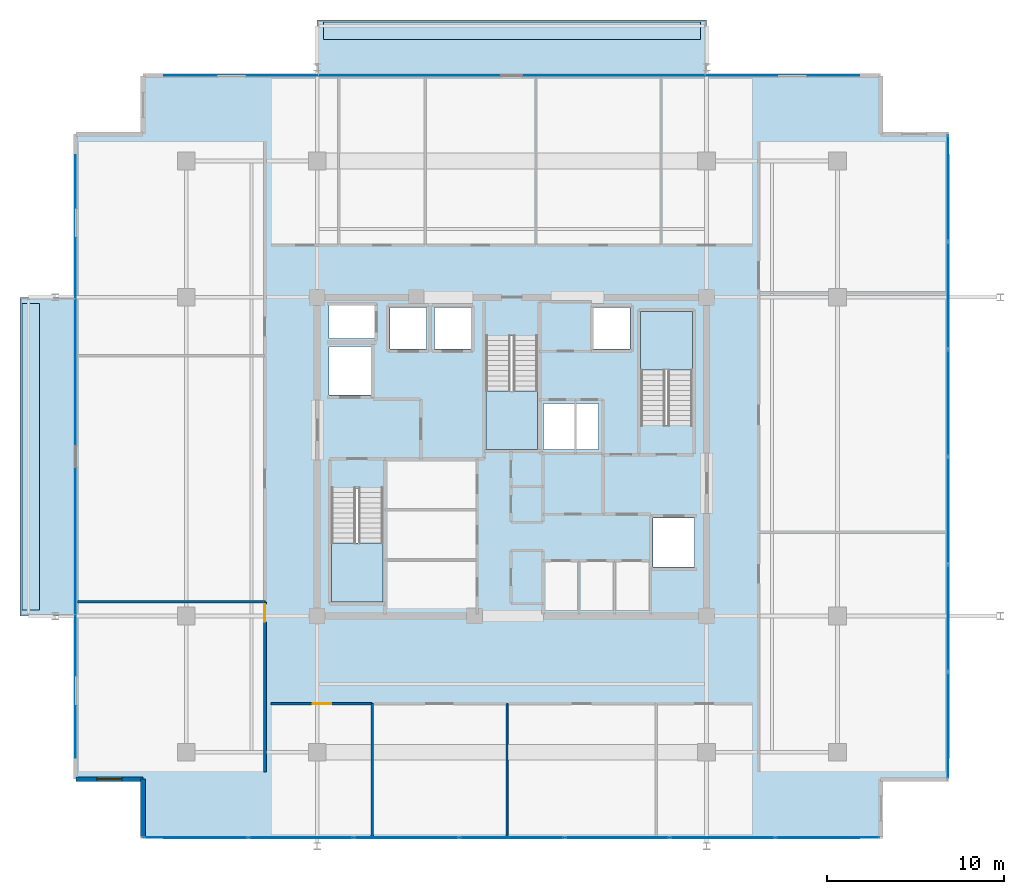
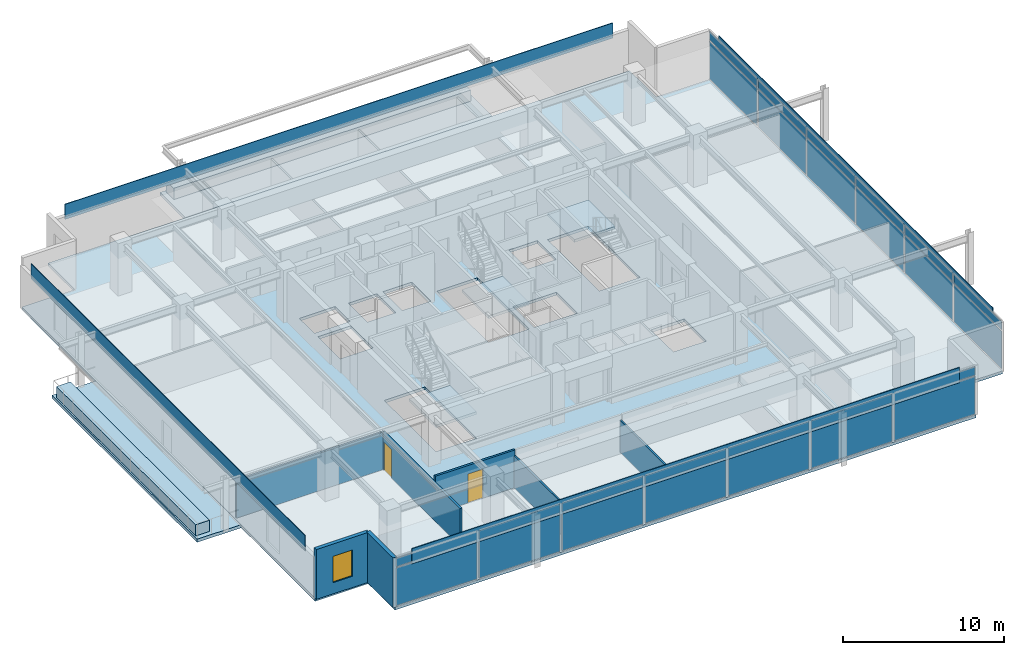
# One storey, part 12 of 20: 30 plates, 8 slabs, 7 walls, 2 doors, 1 window, 3 openings, 5 elements without a shape of their own.
"""IFC4 building model written with IfcOpenShell, lengths in metres."""

from ifc_helpers import new_model, si_unit, direction, frame, frame_2d, origin, origin_2d, place, context, subcontext, project, spatial, polyline, rectangle, outline, extrude, material, layer, layer_set, type_object, element, fill, aggregate, save


model = new_model("IFC4")

# Units and contexts
model_context = context("Model", 3, precision=1e-05, world=origin(), true_north=direction((0.0, 1.0)))
body_context = subcontext(model_context, "Body", "Model", "MODEL_VIEW")
ifc_project = project(units=[si_unit("LENGTHUNIT", "METRE"), si_unit("AREAUNIT", "SQUARE_METRE"), si_unit("VOLUMEUNIT", "CUBIC_METRE"), si_unit("PLANEANGLEUNIT", "RADIAN"), si_unit("MASSUNIT", "GRAM", prefix="KILO")], contexts=[model_context])

# Site, building, storey
site_placement = place(None, origin())
site = spatial("IfcSite", under=ifc_project, at=site_placement, CompositionType="ELEMENT")
building_placement = place(site_placement, origin())
building = spatial("IfcBuilding", under=site, at=building_placement, Name="Kovane Verandah Tower", CompositionType="ELEMENT")
storey_placement = place(building_placement, frame((0.0, 0.0, 330.800048828125)))
storey = spatial("IfcBuildingStorey", under=building, at=storey_placement, Name="L77", CompositionType="ELEMENT", Elevation=330.800048828125)

# Curtain wall, plates
ifc_material_1 = material(Name="Champagne Anodised Aluminium Frame with Low-E Clear Laminated Glass", Category="aluminium")
curtain_wall_type = type_object("IfcCurtainWallType", Name="CW-SYS-05-HIGH", PredefinedType="NOTDEFINED", material=ifc_material_1)
curtain_wall_1_placement = place(storey_placement, origin())
curtain_wall_1 = element("IfcCurtainWall", 1, at=curtain_wall_1_placement, inside=storey, type_object=curtain_wall_type, Name="L77 S Unitised Curtain Wall", PredefinedType="NOTDEFINED")
ifc_material_2 = material(Name="Pale Champagne Anodised Aluminium Insulated Spandrel", Category="aluminium")
ifc_layer_1 = layer(ifc_material_2, 0.0400390625)
ifc_layer_set_1 = layer_set([ifc_layer_1], Name="Pale Champagne Anodised Aluminium Insulated Spandrel")
plate_type_1 = type_object("IfcPlateType", Name="PL-CW-SPD-40", PredefinedType="SHEET", material=ifc_layer_set_1)
plate_1_placement = place(storey_placement, frame((22.14013671875, 5.981689453125, 3.05517578125), z_axis=(0.0, 0.0, 1.0), x_axis=(1.0, 0.0, 0.0)))
plate_1 = element("IfcPlate", 2, at=plate_1_placement, type_object=plate_type_1, Name="L77 S Unitised Curtain Wall Spandrel Panel 1", PredefinedType="SHEET", context=body_context, shape_type="SweptSolid", body=[
    extrude(rectangle(XDim=5.813232421875, YDim=0.0400390625, at=origin_2d()), origin(), (0.0, 0.0, 1.0), 0.639892578125),
])
plate_2_placement = place(storey_placement, frame((28.093505859375, 5.981689453125, 3.05517578125), z_axis=(0.0, 0.0, 1.0), x_axis=(1.0, 0.0, 0.0)))
plate_2 = element("IfcPlate", 3, at=plate_2_placement, type_object=plate_type_1, Name="L77 S Unitised Curtain Wall Spandrel Panel 2", PredefinedType="SHEET", context=body_context, shape_type="SweptSolid", body=[
    extrude(rectangle(XDim=5.813232421875, YDim=0.0400390625, at=origin_2d()), origin(), (0.0, 0.0, 1.0), 0.639892578125),
])
plate_3_placement = place(storey_placement, frame((34.046630859375, 5.981689453125, 3.05517578125), z_axis=(0.0, 0.0, 1.0), x_axis=(1.0, 0.0, 0.0)))
plate_3 = element("IfcPlate", 4, at=plate_3_placement, type_object=plate_type_1, Name="L77 S Unitised Curtain Wall Spandrel Panel 3", PredefinedType="SHEET", context=body_context, shape_type="SweptSolid", body=[
    extrude(rectangle(XDim=5.813232421875, YDim=0.0400390625, at=origin_2d()), origin(), (0.0, 0.0, 1.0), 0.639892578125),
])
plate_4_placement = place(storey_placement, frame((40.0, 5.981689453125, 3.05517578125), z_axis=(0.0, 0.0, 1.0), x_axis=(1.0, 0.0, 0.0)))
plate_4 = element("IfcPlate", 5, at=plate_4_placement, type_object=plate_type_1, Name="L77 S Unitised Curtain Wall Spandrel Panel 4", PredefinedType="SHEET", context=body_context, shape_type="SweptSolid", body=[
    extrude(rectangle(XDim=5.813232421875, YDim=0.0400390625, at=origin_2d()), origin(), (0.0, 0.0, 1.0), 0.639892578125),
])
plate_5_placement = place(storey_placement, frame((45.953369140625, 5.981689453125, 3.05517578125), z_axis=(0.0, 0.0, 1.0), x_axis=(1.0, 0.0, 0.0)))
plate_5 = element("IfcPlate", 6, at=plate_5_placement, type_object=plate_type_1, Name="L77 S Unitised Curtain Wall Spandrel Panel 5", PredefinedType="SHEET", context=body_context, shape_type="SweptSolid", body=[
    extrude(rectangle(XDim=5.813232421875, YDim=0.0400390625, at=origin_2d()), origin(), (0.0, 0.0, 1.0), 0.639892578125),
])
plate_6_placement = place(storey_placement, frame((51.906494140625, 5.981689453125, 3.05517578125), z_axis=(0.0, 0.0, 1.0), x_axis=(1.0, 0.0, 0.0)))
plate_6 = element("IfcPlate", 7, at=plate_6_placement, type_object=plate_type_1, Name="L77 S Unitised Curtain Wall Spandrel Panel 6", PredefinedType="SHEET", context=body_context, shape_type="SweptSolid", body=[
    extrude(rectangle(XDim=5.813232421875, YDim=0.0400390625, at=origin_2d()), origin(), (0.0, 0.0, 1.0), 0.639892578125),
])
plate_7_placement = place(storey_placement, frame((57.85986328125, 5.981689453125, 3.05517578125), z_axis=(0.0, 0.0, 1.0), x_axis=(1.0, 0.0, 0.0)))
plate_7 = element("IfcPlate", 8, at=plate_7_placement, type_object=plate_type_1, Name="L77 S Unitised Curtain Wall Spandrel Panel 7", PredefinedType="SHEET", context=body_context, shape_type="SweptSolid", body=[
    extrude(rectangle(XDim=5.813232421875, YDim=0.0400390625, at=origin_2d()), origin(), (0.0, 0.0, 1.0), 0.639892578125),
])

curtain_wall_2_placement = place(storey_placement, origin())
curtain_wall_2 = element("IfcCurtainWall", 9, at=curtain_wall_2_placement, inside=storey, type_object=curtain_wall_type, Name="L77 E Unitised Curtain Wall", PredefinedType="NOTDEFINED")
plate_8_placement = place(storey_placement, frame((64.636474609375, 12.318115234375, 3.05517578125), z_axis=(0.0, 0.0, 1.0), x_axis=(0.0, 1.0, 0.0)))
plate_8 = element("IfcPlate", 10, at=plate_8_placement, type_object=plate_type_1, Name="L77 E Unitised Curtain Wall Spandrel Panel 1", PredefinedType="SHEET", context=body_context, shape_type="SweptSolid", body=[
    extrude(rectangle(XDim=5.9326171875, YDim=0.0400390625, at=origin_2d()), origin(), (0.0, 0.0, 1.0), 0.639892578125),
])
plate_9_placement = place(storey_placement, frame((64.636474609375, 18.390869140625, 3.05517578125), z_axis=(0.0, 0.0, 1.0), x_axis=(0.0, 1.0, 0.0)))
plate_9 = element("IfcPlate", 11, at=plate_9_placement, type_object=plate_type_1, Name="L77 E Unitised Curtain Wall Spandrel Panel 2", PredefinedType="SHEET", context=body_context, shape_type="SweptSolid", body=[
    extrude(rectangle(XDim=5.9326171875, YDim=0.0400390625, at=origin_2d()), origin(), (0.0, 0.0, 1.0), 0.639892578125),
])
plate_10_placement = place(storey_placement, frame((64.636474609375, 24.463623046875, 3.05517578125), z_axis=(0.0, 0.0, 1.0), x_axis=(0.0, 1.0, 0.0)))
plate_10 = element("IfcPlate", 12, at=plate_10_placement, type_object=plate_type_1, Name="L77 E Unitised Curtain Wall Spandrel Panel 3", PredefinedType="SHEET", context=body_context, shape_type="SweptSolid", body=[
    extrude(rectangle(XDim=5.9326171875, YDim=0.0400390625, at=origin_2d()), origin(), (0.0, 0.0, 1.0), 0.639892578125),
])
plate_11_placement = place(storey_placement, frame((64.636474609375, 30.536376953125, 3.05517578125), z_axis=(0.0, 0.0, 1.0), x_axis=(0.0, 1.0, 0.0)))
plate_11 = element("IfcPlate", 13, at=plate_11_placement, type_object=plate_type_1, Name="L77 E Unitised Curtain Wall Spandrel Panel 4", PredefinedType="SHEET", context=body_context, shape_type="SweptSolid", body=[
    extrude(rectangle(XDim=5.9326171875, YDim=0.0400390625, at=origin_2d()), origin(), (0.0, 0.0, 1.0), 0.639892578125),
])
plate_12_placement = place(storey_placement, frame((64.636474609375, 36.609130859375, 3.05517578125), z_axis=(0.0, 0.0, 1.0), x_axis=(0.0, 1.0, 0.0)))
plate_12 = element("IfcPlate", 14, at=plate_12_placement, type_object=plate_type_1, Name="L77 E Unitised Curtain Wall Spandrel Panel 5", PredefinedType="SHEET", context=body_context, shape_type="SweptSolid", body=[
    extrude(rectangle(XDim=5.9326171875, YDim=0.0400390625, at=origin_2d()), origin(), (0.0, 0.0, 1.0), 0.639892578125),
])
plate_13_placement = place(storey_placement, frame((64.636474609375, 42.681884765625, 3.05517578125), z_axis=(0.0, 0.0, 1.0), x_axis=(0.0, 1.0, 0.0)))
plate_13 = element("IfcPlate", 15, at=plate_13_placement, type_object=plate_type_1, Name="L77 E Unitised Curtain Wall Spandrel Panel 6", PredefinedType="SHEET", context=body_context, shape_type="SweptSolid", body=[
    extrude(rectangle(XDim=5.9326171875, YDim=0.0400390625, at=origin_2d()), origin(), (0.0, 0.0, 1.0), 0.639892578125),
])

# Plate
ifc_material_3 = material(Name="Clear Low-E Laminated Double Glazing", Category="glass")
ifc_layer_2 = layer(ifc_material_3, 0.031982421875)
ifc_layer_set_2 = layer_set([ifc_layer_2], Name="Clear Low-E Laminated Double Glazing")
plate_type_2 = type_object("IfcPlateType", Name="PL-CW-VIS-32", PredefinedType="CURTAIN_PANEL", material=ifc_layer_set_2)
plate_14_placement = place(storey_placement, frame((22.14013671875, 5.981689453125, 0.099853515625), z_axis=(0.0, 0.0, 1.0), x_axis=(1.0, 0.0, 0.0)))
plate_14 = element("IfcPlate", 16, at=plate_14_placement, type_object=plate_type_2, Name="L77 S Unitised Curtain Wall Vision Panel 1", PredefinedType="CURTAIN_PANEL", context=body_context, shape_type="SweptSolid", body=[
    extrude(rectangle(XDim=5.813232421875, YDim=0.031982421875, at=origin_2d()), origin(), (0.0, 0.0, 1.0), 2.85498046875),
])

plate_15_placement = place(storey_placement, frame((28.093505859375, 5.981689453125, 0.099853515625), z_axis=(0.0, 0.0, 1.0), x_axis=(1.0, 0.0, 0.0)))
plate_15 = element("IfcPlate", 17, at=plate_15_placement, type_object=plate_type_2, Name="L77 S Unitised Curtain Wall Vision Panel 2", PredefinedType="CURTAIN_PANEL", context=body_context, shape_type="SweptSolid", body=[
    extrude(rectangle(XDim=5.813232421875, YDim=0.031982421875, at=origin_2d()), origin(), (0.0, 0.0, 1.0), 2.85498046875),
])

plate_16_placement = place(storey_placement, frame((34.046630859375, 5.981689453125, 0.099853515625), z_axis=(0.0, 0.0, 1.0), x_axis=(1.0, 0.0, 0.0)))
plate_16 = element("IfcPlate", 18, at=plate_16_placement, type_object=plate_type_2, Name="L77 S Unitised Curtain Wall Vision Panel 3", PredefinedType="CURTAIN_PANEL", context=body_context, shape_type="SweptSolid", body=[
    extrude(rectangle(XDim=5.813232421875, YDim=0.031982421875, at=origin_2d()), origin(), (0.0, 0.0, 1.0), 2.85498046875),
])

plate_17_placement = place(storey_placement, frame((40.0, 5.981689453125, 0.099853515625), z_axis=(0.0, 0.0, 1.0), x_axis=(1.0, 0.0, 0.0)))
plate_17 = element("IfcPlate", 19, at=plate_17_placement, type_object=plate_type_2, Name="L77 S Unitised Curtain Wall Vision Panel 4", PredefinedType="CURTAIN_PANEL", context=body_context, shape_type="SweptSolid", body=[
    extrude(rectangle(XDim=5.813232421875, YDim=0.031982421875, at=origin_2d()), origin(), (0.0, 0.0, 1.0), 2.85498046875),
])

plate_18_placement = place(storey_placement, frame((45.953369140625, 5.981689453125, 0.099853515625), z_axis=(0.0, 0.0, 1.0), x_axis=(1.0, 0.0, 0.0)))
plate_18 = element("IfcPlate", 20, at=plate_18_placement, type_object=plate_type_2, Name="L77 S Unitised Curtain Wall Vision Panel 5", PredefinedType="CURTAIN_PANEL", context=body_context, shape_type="SweptSolid", body=[
    extrude(rectangle(XDim=5.813232421875, YDim=0.031982421875, at=origin_2d()), origin(), (0.0, 0.0, 1.0), 2.85498046875),
])

plate_19_placement = place(storey_placement, frame((51.906494140625, 5.981689453125, 0.099853515625), z_axis=(0.0, 0.0, 1.0), x_axis=(1.0, 0.0, 0.0)))
plate_19 = element("IfcPlate", 21, at=plate_19_placement, type_object=plate_type_2, Name="L77 S Unitised Curtain Wall Vision Panel 6", PredefinedType="CURTAIN_PANEL", context=body_context, shape_type="SweptSolid", body=[
    extrude(rectangle(XDim=5.813232421875, YDim=0.031982421875, at=origin_2d()), origin(), (0.0, 0.0, 1.0), 2.85498046875),
])

plate_20_placement = place(storey_placement, frame((57.85986328125, 5.981689453125, 0.099853515625), z_axis=(0.0, 0.0, 1.0), x_axis=(1.0, 0.0, 0.0)))
plate_20 = element("IfcPlate", 22, at=plate_20_placement, type_object=plate_type_2, Name="L77 S Unitised Curtain Wall Vision Panel 7", PredefinedType="CURTAIN_PANEL", context=body_context, shape_type="SweptSolid", body=[
    extrude(rectangle(XDim=5.813232421875, YDim=0.031982421875, at=origin_2d()), origin(), (0.0, 0.0, 1.0), 2.85498046875),
])

aggregate(curtain_wall_1, [plate_14, plate_1, plate_15, plate_2, plate_16, plate_3, plate_17, plate_4, plate_18, plate_5, plate_19, plate_6, plate_20, plate_7])

plate_21_placement = place(storey_placement, frame((64.636474609375, 12.318115234375, 0.099853515625), z_axis=(0.0, 0.0, 1.0), x_axis=(0.0, 1.0, 0.0)))
plate_21 = element("IfcPlate", 23, at=plate_21_placement, type_object=plate_type_2, Name="L77 E Unitised Curtain Wall Vision Panel 1", PredefinedType="CURTAIN_PANEL", context=body_context, shape_type="SweptSolid", body=[
    extrude(rectangle(XDim=5.9326171875, YDim=0.031982421875, at=origin_2d()), origin(), (0.0, 0.0, 1.0), 2.85498046875),
])

plate_22_placement = place(storey_placement, frame((64.636474609375, 18.390869140625, 0.099853515625), z_axis=(0.0, 0.0, 1.0), x_axis=(0.0, 1.0, 0.0)))
plate_22 = element("IfcPlate", 24, at=plate_22_placement, type_object=plate_type_2, Name="L77 E Unitised Curtain Wall Vision Panel 2", PredefinedType="CURTAIN_PANEL", context=body_context, shape_type="SweptSolid", body=[
    extrude(rectangle(XDim=5.9326171875, YDim=0.031982421875, at=origin_2d()), origin(), (0.0, 0.0, 1.0), 2.85498046875),
])

plate_23_placement = place(storey_placement, frame((64.636474609375, 24.463623046875, 0.099853515625), z_axis=(0.0, 0.0, 1.0), x_axis=(0.0, 1.0, 0.0)))
plate_23 = element("IfcPlate", 25, at=plate_23_placement, type_object=plate_type_2, Name="L77 E Unitised Curtain Wall Vision Panel 3", PredefinedType="CURTAIN_PANEL", context=body_context, shape_type="SweptSolid", body=[
    extrude(rectangle(XDim=5.9326171875, YDim=0.031982421875, at=origin_2d()), origin(), (0.0, 0.0, 1.0), 2.85498046875),
])

plate_24_placement = place(storey_placement, frame((64.636474609375, 30.536376953125, 0.099853515625), z_axis=(0.0, 0.0, 1.0), x_axis=(0.0, 1.0, 0.0)))
plate_24 = element("IfcPlate", 26, at=plate_24_placement, type_object=plate_type_2, Name="L77 E Unitised Curtain Wall Vision Panel 4", PredefinedType="CURTAIN_PANEL", context=body_context, shape_type="SweptSolid", body=[
    extrude(rectangle(XDim=5.9326171875, YDim=0.031982421875, at=origin_2d()), origin(), (0.0, 0.0, 1.0), 2.85498046875),
])

plate_25_placement = place(storey_placement, frame((64.636474609375, 36.609130859375, 0.099853515625), z_axis=(0.0, 0.0, 1.0), x_axis=(0.0, 1.0, 0.0)))
plate_25 = element("IfcPlate", 27, at=plate_25_placement, type_object=plate_type_2, Name="L77 E Unitised Curtain Wall Vision Panel 5", PredefinedType="CURTAIN_PANEL", context=body_context, shape_type="SweptSolid", body=[
    extrude(rectangle(XDim=5.9326171875, YDim=0.031982421875, at=origin_2d()), origin(), (0.0, 0.0, 1.0), 2.85498046875),
])

plate_26_placement = place(storey_placement, frame((64.636474609375, 42.681884765625, 0.099853515625), z_axis=(0.0, 0.0, 1.0), x_axis=(0.0, 1.0, 0.0)))
plate_26 = element("IfcPlate", 28, at=plate_26_placement, type_object=plate_type_2, Name="L77 E Unitised Curtain Wall Vision Panel 6", PredefinedType="CURTAIN_PANEL", context=body_context, shape_type="SweptSolid", body=[
    extrude(rectangle(XDim=5.9326171875, YDim=0.031982421875, at=origin_2d()), origin(), (0.0, 0.0, 1.0), 2.85498046875),
])

aggregate(curtain_wall_2, [plate_21, plate_8, plate_22, plate_9, plate_23, plate_10, plate_24, plate_11, plate_25, plate_12, plate_26, plate_13])

# Plates
ifc_material_4 = material(Name="Perforated Pale Champagne Anodised Aluminium Solar Screen", Category="aluminium")
ifc_layer_3 = layer(ifc_material_4, 0.050048828125)
ifc_layer_set_3 = layer_set([ifc_layer_3], Name="Perforated Pale Champagne Anodised Aluminium Solar Screen")
plate_type_3 = type_object("IfcPlateType", Name="PL-SCREEN-50", PredefinedType="USERDEFINED", material=ifc_layer_set_3)
plate_27_placement = place(storey_placement, frame((40.0, 5.966796875, 2.885009765625), z_axis=(0.0, 0.0, 1.0), x_axis=(1.0, 0.0, 0.0)))
element("IfcPlate", 29, at=plate_27_placement, inside=storey, type_object=plate_type_3, Name="L77 S Perforated Champagne-Gold Solar Screen", ObjectType="SCREEN", PredefinedType="USERDEFINED", context=body_context, shape_type="SweptSolid", body=[
    extrude(rectangle(XDim=39.27294921875, YDim=0.050048828125, at=origin_2d()), origin(), (0.0, 0.0, 1.0), 1.14990234375),
])
plate_28_placement = place(storey_placement, frame((64.6513671875, 27.5, 2.885009765625), z_axis=(0.0, 0.0, 1.0), x_axis=(0.0, 1.0, 0.0)))
element("IfcPlate", 30, at=plate_28_placement, inside=storey, type_object=plate_type_3, Name="L77 E Perforated Champagne-Gold Solar Screen", ObjectType="SCREEN", PredefinedType="USERDEFINED", context=body_context, shape_type="SweptSolid", body=[
    extrude(rectangle(XDim=34.035888671875, YDim=0.050048828125, at=origin_2d()), origin(), (0.0, 0.0, 1.0), 1.14990234375),
])
plate_29_placement = place(storey_placement, frame((40.0, 49.033203125, 2.885009765625), z_axis=(0.0, 0.0, 1.0), x_axis=(-1.0, 0.0, 0.0)))
element("IfcPlate", 31, at=plate_29_placement, inside=storey, type_object=plate_type_3, Name="L77 N Perforated Champagne-Gold Solar Screen", ObjectType="SCREEN", PredefinedType="USERDEFINED", context=body_context, shape_type="SweptSolid", body=[
    extrude(rectangle(XDim=39.27294921875, YDim=0.050048828125, at=origin_2d()), origin(), (0.0, 0.0, 1.0), 1.14990234375),
])
plate_30_placement = place(storey_placement, frame((15.3486328125, 27.5, 2.885009765625), z_axis=(0.0, 0.0, 1.0), x_axis=(0.0, -1.0, 0.0)))
element("IfcPlate", 32, at=plate_30_placement, inside=storey, type_object=plate_type_3, Name="L77 W Perforated Champagne-Gold Solar Screen", ObjectType="SCREEN", PredefinedType="USERDEFINED", context=body_context, shape_type="SweptSolid", body=[
    extrude(rectangle(XDim=34.035888671875, YDim=0.050048828125, at=origin_2d()), origin(), (0.0, 0.0, 1.0), 1.14990234375),
])

# Slabs
ifc_material_5 = material(Name="Concrete C45/55", Category="concrete")
ifc_layer_4 = layer(ifc_material_5, 0.239990234375)
ifc_layer_set_4 = layer_set([ifc_layer_4], Name="Concrete C45/55")
slab_type_1 = type_object("IfcSlabType", Name="SL-BALC-240", PredefinedType="FLOOR", material=ifc_layer_set_4)
slab_1_placement = place(storey_placement, frame((0.0, 0.0, -0.239990234375)))
element("IfcSlab", 33, at=slab_1_placement, inside=storey, type_object=slab_type_1, Name="L77 N Planted Verandah Balcony Slab", PredefinedType="FLOOR", context=body_context, shape_type="SweptSolid", body=[
    extrude(outline(polyline([(29.0, 49.018310546875), (51.0, 49.018310546875), (51.0, 52.168212890625), (29.0, 52.168212890625), (29.0, 49.018310546875)])), origin(), (0.0, 0.0, 1.0), 0.239990234375),
])
slab_2_placement = place(storey_placement, frame((0.0, 0.0, -0.239990234375)))
element("IfcSlab", 34, at=slab_2_placement, inside=storey, type_object=slab_type_1, Name="L77 W Planted Verandah Balcony Slab", PredefinedType="FLOOR", context=body_context, shape_type="SweptSolid", body=[
    extrude(outline(polyline([(12.213623046875, 18.5), (15.363525390625, 18.5), (15.363525390625, 36.5), (12.213623046875, 36.5), (12.213623046875, 18.5)])), origin(), (0.0, 0.0, 1.0), 0.239990234375),
])
ifc_layer_5 = layer(ifc_material_5, 0.215087890625)
ifc_layer_set_5 = layer_set([ifc_layer_5], Name="Concrete C45/55")
slab_type_2 = type_object("IfcSlabType", Name="SL-HIGH-215", PredefinedType="FLOOR", material=ifc_layer_set_5)
slab_3_placement = place(storey_placement, frame((0.0, 0.0, -0.215087890625)))
element("IfcSlab", 35, at=slab_3_placement, inside=storey, type_object=slab_type_2, Name="L77 Structural Floor Slab", PredefinedType="FLOOR", context=body_context, shape_type="SweptSolid", body=[
    extrude(outline(polyline([(19.16357421875, 5.981689453125), (60.83642578125, 5.981689453125), (60.83642578125, 9.28173828125), (64.636474609375, 9.28173828125), (64.636474609375, 45.71826171875), (60.83642578125, 45.71826171875), (60.83642578125, 49.018310546875), (19.16357421875, 49.018310546875), (19.16357421875, 45.71826171875), (15.363525390625, 45.71826171875), (15.363525390625, 9.28173828125), (19.16357421875, 9.28173828125), (19.16357421875, 5.981689453125)]), holes=[polyline([(29.800048828125, 19.300048828125), (32.719970703125, 19.300048828125), (32.719970703125, 25.705078125), (29.800048828125, 25.705078125), (29.800048828125, 19.300048828125)]), polyline([(47.280029296875, 29.294921875), (50.199951171875, 29.294921875), (50.199951171875, 35.699951171875), (47.280029296875, 35.699951171875), (47.280029296875, 29.294921875)]), polyline([(38.5400390625, 27.89990234375), (41.4599609375, 27.89990234375), (41.4599609375, 34.304931640625), (38.5400390625, 34.304931640625), (38.5400390625, 27.89990234375)]), polyline([(29.669921875, 30.969970703125), (32.030029296875, 30.969970703125), (32.030029296875, 33.72998046875), (29.669921875, 33.72998046875), (29.669921875, 30.969970703125)]), polyline([(47.969970703125, 21.27001953125), (50.330078125, 21.27001953125), (50.330078125, 24.030029296875), (47.969970703125, 24.030029296875), (47.969970703125, 21.27001953125)]), polyline([(29.669921875, 34.169921875), (32.22998046875, 34.169921875), (32.22998046875, 36.030029296875), (29.669921875, 36.030029296875), (29.669921875, 34.169921875)]), polyline([(33.1201171875, 33.570068359375), (35.179931640625, 33.570068359375), (35.179931640625, 35.929931640625), (33.1201171875, 35.929931640625), (33.1201171875, 33.570068359375)]), polyline([(35.6201171875, 33.570068359375), (37.679931640625, 33.570068359375), (37.679931640625, 35.929931640625), (35.6201171875, 35.929931640625), (35.6201171875, 33.570068359375)]), polyline([(44.6201171875, 33.570068359375), (46.679931640625, 33.570068359375), (46.679931640625, 35.929931640625), (44.6201171875, 35.929931640625), (44.6201171875, 33.570068359375)]), polyline([(41.800048828125, 27.89990234375), (44.89990234375, 27.89990234375), (44.89990234375, 30.5), (41.800048828125, 30.5), (41.800048828125, 27.89990234375)])]), origin(), (0.0, 0.0, 1.0), 0.215087890625),
])

# Stair, slab
stair_type = type_object("IfcStairType", Name="ST-CORE-1380", PredefinedType="HALF_TURN_STAIR", material=ifc_material_5)
stair_1_placement = place(storey_placement, origin())
stair_1 = element("IfcStair", 36, at=stair_1_placement, inside=storey, type_object=stair_type, Name="L77 Exit Stair ST-01", PredefinedType="HALF_TURN_STAIR")
ifc_layer_6 = layer(ifc_material_5, 0.199951171875)
ifc_layer_set_6 = layer_set([ifc_layer_6], Name="Concrete C45/55")
slab_type_3 = type_object("IfcSlabType", Name="SL-LAND-200", PredefinedType="LANDING", material=ifc_layer_set_6)
slab_4_placement = place(storey_placement, frame((0.0, 0.0, 1.800048828125)))
slab_4 = element("IfcSlab", 37, at=slab_4_placement, type_object=slab_type_3, Name="ST-01 landing 1", PredefinedType="LANDING", context=body_context, shape_type="SweptSolid", body=[
    extrude(outline(polyline([(29.800048828125, 22.614990234375), (29.800048828125, 19.300048828125), (32.719970703125, 19.300048828125), (32.719970703125, 22.614990234375), (29.800048828125, 22.614990234375)])), origin(), (0.0, 0.0, 1.0), 0.199951171875),
])
aggregate(stair_1, [slab_4])

stair_2_placement = place(storey_placement, origin())
stair_2 = element("IfcStair", 38, at=stair_2_placement, inside=storey, type_object=stair_type, Name="L77 Exit Stair ST-02", PredefinedType="HALF_TURN_STAIR")
slab_5_placement = place(storey_placement, frame((0.0, 0.0, 1.800048828125)))
slab_5 = element("IfcSlab", 39, at=slab_5_placement, type_object=slab_type_3, Name="ST-02 landing 1", PredefinedType="LANDING", context=body_context, shape_type="SweptSolid", body=[
    extrude(outline(polyline([(50.199951171875, 32.385009765625), (50.199951171875, 35.699951171875), (47.280029296875, 35.699951171875), (47.280029296875, 32.385009765625), (50.199951171875, 32.385009765625)])), origin(), (0.0, 0.0, 1.0), 0.199951171875),
])
aggregate(stair_2, [slab_5])

stair_3_placement = place(storey_placement, origin())
stair_3 = element("IfcStair", 40, at=stair_3_placement, inside=storey, type_object=stair_type, Name="L77 Exit Stair ST-03", PredefinedType="HALF_TURN_STAIR")
slab_6_placement = place(storey_placement, frame((0.0, 0.0, 1.800048828125)))
slab_6 = element("IfcSlab", 41, at=slab_6_placement, type_object=slab_type_3, Name="ST-03 landing 1", PredefinedType="LANDING", context=body_context, shape_type="SweptSolid", body=[
    extrude(outline(polyline([(38.5400390625, 31.215087890625), (38.5400390625, 27.89990234375), (41.4599609375, 27.89990234375), (41.4599609375, 31.215087890625), (38.5400390625, 31.215087890625)])), origin(), (0.0, 0.0, 1.0), 0.199951171875),
])
aggregate(stair_3, [slab_6])

# Slabs
ifc_material_6 = material(Name="Architectural Precast Concrete C45/55 Planter Trough", Category="concrete")
ifc_layer_7 = layer(ifc_material_6, 0.219970703125)
ifc_layer_set_7 = layer_set([ifc_layer_7], Name="Architectural Precast Concrete C45/55 Planter Trough")
slab_type_4 = type_object("IfcSlabType", Name="SL-PLANTER-220", PredefinedType="USERDEFINED", material=ifc_layer_set_7)
slab_7_placement = place(storey_placement, origin())
element("IfcSlab", 42, at=slab_7_placement, inside=storey, type_object=slab_type_4, Name="L77 N Structural Tree Planter", ObjectType="PLANTER", PredefinedType="USERDEFINED", context=body_context, shape_type="SweptSolid", body=[
    extrude(outline(polyline([(29.35009765625, 51.068115234375), (50.64990234375, 51.068115234375), (50.64990234375, 52.068115234375), (29.35009765625, 52.068115234375), (29.35009765625, 51.068115234375)])), origin(), (0.0, 0.0, 1.0), 0.849853515625),
])
slab_8_placement = place(storey_placement, origin())
element("IfcSlab", 43, at=slab_8_placement, inside=storey, type_object=slab_type_4, Name="L77 W Structural Tree Planter", ObjectType="PLANTER", PredefinedType="USERDEFINED", context=body_context, shape_type="SweptSolid", body=[
    extrude(outline(polyline([(12.313720703125, 18.85009765625), (13.313720703125, 18.85009765625), (13.313720703125, 36.14990234375), (12.313720703125, 36.14990234375), (12.313720703125, 18.85009765625)])), origin(), (0.0, 0.0, 1.0), 0.849853515625),
])

# Wall, opening, door
ifc_material_7 = material(Name="Fire-Rated Gypsum Stud Partition", Category="gypsum")
ifc_layer_8 = layer(ifc_material_7, 0.14990234375)
ifc_layer_set_8 = layer_set([ifc_layer_8], Name="Fire-Rated Gypsum Stud Partition")
wall_type_1 = type_object("IfcWallType", Name="WL-COR-150", PredefinedType="PARTITIONING", material=ifc_layer_set_8)
wall_1_placement = place(storey_placement, frame((26.39990234375, 13.550048828125, 0.0), z_axis=(0.0, 0.0, 1.0), x_axis=(1.0, 0.0, 0.0)))
wall_1 = element("IfcWall", 44, at=wall_1_placement, inside=storey, type_object=wall_type_1, Name="L77 Executive Office S1 Corridor Partition", PredefinedType="PARTITIONING", context=body_context, shape_type="SweptSolid", body=[
    extrude(rectangle(XDim=5.712158203125, YDim=0.14990234375, at=frame_2d((2.85595703125, 0.0))), origin(), (0.0, 0.0, 1.0), 2.849853515625),
])
opening_1_placement = place(wall_1_placement, frame((2.345947265625, 0.0, 0.0)))
opening_1 = element("IfcOpeningElement", 45, at=opening_1_placement, cuts=wall_1, Name="Opening DR-L77-029", PredefinedType="OPENING", context=body_context, shape_type="SweptSolid", body=[
    extrude(rectangle(XDim=1.050048828125, YDim=2.199951171875, at=frame_2d((0.52490234375, 1.10009765625))), frame((0.0, 0.074951171875, 0.0), z_axis=(0.0, -1.0, 0.0), x_axis=(1.0, 0.0, 0.0)), (0.0, 0.0, 1.0), 0.14990234375),
])
ifc_material_8 = material(Name="FSC Blackbutt Timber Fire-Rated Executive Door", Category="wood")
door_type_1 = type_object("IfcDoorType", Name="DR-EXEC-1050", OperationType="SINGLE_SWING_LEFT", PredefinedType="DOOR", material=ifc_material_8)
door_1_placement = place(opening_1_placement, origin())
door_1 = element("IfcDoor", 46, at=door_1_placement, inside=storey, type_object=door_type_1, Name="L77 Executive Office S1 Entrance Door", OperationType="SINGLE_SWING_RIGHT", OverallHeight=2.199951171875, OverallWidth=1.050048828125, PredefinedType="DOOR", context=body_context, shape_type="SweptSolid", body=[
    extrude(rectangle(XDim=1.050048828125, YDim=2.199951171875, at=frame_2d((0.52490234375, 1.10009765625))), frame((0.0, 0.02490234375, 0.0), z_axis=(0.0, -1.0, 0.0), x_axis=(1.0, 0.0, 0.0)), (0.0, 0.0, 1.0), 0.050048828125),
])
fill(opening_1, door_1)

wall_2_placement = place(storey_placement, frame((26.050048828125, 9.681884765625, 0.0), z_axis=(0.0, 0.0, 1.0), x_axis=(0.0, 1.0, 0.0)))
wall_2 = element("IfcWall", 47, at=wall_2_placement, inside=storey, type_object=wall_type_1, Name="L77 Breakout Pantry W1 Corridor Partition", PredefinedType="PARTITIONING", context=body_context, shape_type="SweptSolid", body=[
    extrude(rectangle(XDim=9.621826171875, YDim=0.14990234375, at=frame_2d((4.81103515625, 0.0))), origin(), (0.0, 0.0, 1.0), 2.849853515625),
])
opening_2_placement = place(wall_2_placement, frame((8.481689453125, 0.0, 0.0)))
opening_2 = element("IfcOpeningElement", 48, at=opening_2_placement, cuts=wall_2, Name="Opening DR-L77-036", PredefinedType="OPENING", context=body_context, shape_type="SweptSolid", body=[
    extrude(rectangle(XDim=1.0, YDim=2.14990234375, at=frame_2d((0.5, 1.074951171875))), frame((0.0, 0.074951171875, 0.0), z_axis=(0.0, -1.0, 0.0), x_axis=(1.0, 0.0, 0.0)), (0.0, 0.0, 1.0), 0.14990234375),
])
ifc_material_9 = material(Name="FSC Spotted-Gum Timber Fire-Rated Office Door", Category="wood")
door_type_2 = type_object("IfcDoorType", Name="DR-OFF-1000", OperationType="SINGLE_SWING_LEFT", PredefinedType="DOOR", material=ifc_material_9)
door_2_placement = place(opening_2_placement, origin())
door_2 = element("IfcDoor", 49, at=door_2_placement, inside=storey, type_object=door_type_2, Name="L77 Breakout Pantry W1 Entrance Door", OperationType="SINGLE_SWING_RIGHT", OverallHeight=2.14990234375, OverallWidth=1.0, PredefinedType="DOOR", context=body_context, shape_type="SweptSolid", body=[
    extrude(rectangle(XDim=1.0, YDim=2.14990234375, at=frame_2d((0.5, 1.074951171875))), frame((0.0, 0.02490234375, 0.0), z_axis=(0.0, -1.0, 0.0), x_axis=(1.0, 0.0, 0.0)), (0.0, 0.0, 1.0), 0.050048828125),
])
fill(opening_2, door_2)

# Walls
ifc_material_10 = material(Name="Acoustic Fire-Rated Gypsum Partition", Category="gypsum")
ifc_layer_9 = layer(ifc_material_10, 0.1201171875)
ifc_layer_set_9 = layer_set([ifc_layer_9], Name="Acoustic Fire-Rated Gypsum Partition")
wall_type_2 = type_object("IfcWallType", Name="WL-PART-120", PredefinedType="PARTITIONING", material=ifc_layer_set_9)
for number, where, z_axis, x_axis, name in (
    (50, (32.112060546875, 6.081787109375, 0.0), (0.0, 0.0, 1.0), (0.0, 1.0, 0.0), "L77 Executive Office S1 Dividing Partition"),
    (51, (39.72802734375, 6.081787109375, 0.0), (0.0, 0.0, 1.0), (0.0, 1.0, 0.0), "L77 Client Boardroom S2 Dividing Partition"),
):
    element("IfcWall", number, at=place(storey_placement, frame(where, z_axis=z_axis, x_axis=x_axis)), inside=storey, type_object=wall_type_2, Name=name, PredefinedType="PARTITIONING", context=body_context, shape_type="SweptSolid", body=[
        extrude(rectangle(XDim=7.46826171875, YDim=0.1201171875, at=frame_2d((3.734130859375, 0.0))), origin(), (0.0, 0.0, 1.0), 2.4150390625),
    ])
wall_3_placement = place(storey_placement, frame((15.463623046875, 19.3037109375, 0.0), z_axis=(0.0, 0.0, 1.0), x_axis=(1.0, 0.0, 0.0)))
element("IfcWall", 52, at=wall_3_placement, inside=storey, type_object=wall_type_2, Name="L77 Breakout Pantry W1 Dividing Partition", PredefinedType="PARTITIONING", context=body_context, shape_type="SweptSolid", body=[
    extrude(rectangle(XDim=10.58642578125, YDim=0.1201171875, at=frame_2d((5.293212890625, 0.0))), origin(), (0.0, 0.0, 1.0), 2.849853515625),
])

# Wall, opening, window
ifc_material_11 = material(Name="Concrete C45/55 Insulated Spandrel Wall", Category="concrete")
ifc_layer_10 = layer(ifc_material_11, 0.260009765625)
ifc_layer_set_10 = layer_set([ifc_layer_10], Name="Concrete C45/55 Insulated Spandrel Wall")
wall_type_3 = type_object("IfcWallType", Name="WL-SPANDREL-260", PredefinedType="PARAPET", material=ifc_layer_set_10)
wall_4_placement = place(storey_placement, frame((15.363525390625, 9.28173828125, 0.0), z_axis=(0.0, 0.0, 1.0), x_axis=(1.0, 0.0, 0.0)))
wall_4 = element("IfcWall", 53, at=wall_4_placement, inside=storey, type_object=wall_type_3, Name="L77 SW Notch Cheek Wall 1", PredefinedType="PARAPET", context=body_context, shape_type="SweptSolid", body=[
    extrude(rectangle(XDim=3.800048828125, YDim=0.260009765625, at=frame_2d((1.89990234375, 0.0))), origin(), (0.0, 0.0, 1.0), 3.784912109375),
])
opening_3_placement = place(wall_4_placement, frame((1.199951171875, 0.0, 0.85009765625)))
opening_3 = element("IfcOpeningElement", 54, at=opening_3_placement, cuts=wall_4, Name="Opening W-01", PredefinedType="OPENING", context=body_context, shape_type="SweptSolid", body=[
    extrude(rectangle(XDim=1.39990234375, YDim=2.0, at=frame_2d((0.699951171875, 1.0))), frame((0.0, 0.1298828125, 0.0), z_axis=(0.0, -1.0, 0.0), x_axis=(1.0, 0.0, 0.0)), (0.0, 0.0, 1.0), 0.260009765625),
])
ifc_material_12 = material(Name="Clear Low-E Laminated Double Glazing in Anodised Frame", Category="glass")
window_type = type_object("IfcWindowType", Name="WN-OPER-1400x2000", PartitioningType="SINGLE_PANEL", PredefinedType="WINDOW", material=ifc_material_12)
window_placement = place(opening_3_placement, origin())
window = element("IfcWindow", 55, at=window_placement, inside=storey, type_object=window_type, Name="L77 SW Re-Entrant Corner Operable Window", OverallHeight=2.0, OverallWidth=1.39990234375, PartitioningType="SINGLE_PANEL", PredefinedType="WINDOW", context=body_context, shape_type="SweptSolid", body=[
    extrude(rectangle(XDim=1.39990234375, YDim=2.0, at=frame_2d((0.699951171875, 1.0))), frame((0.0, 0.030029296875, 0.0), z_axis=(0.0, -1.0, 0.0), x_axis=(1.0, 0.0, 0.0)), (0.0, 0.0, 1.0), 0.06005859375),
])
fill(opening_3, window)

# Wall
wall_5_placement = place(storey_placement, frame((19.16357421875, 9.28173828125, 0.0), z_axis=(0.0, 0.0, 1.0), x_axis=(0.0, -1.0, 0.0)))
element("IfcWall", 56, at=wall_5_placement, inside=storey, type_object=wall_type_3, Name="L77 SW Notch Cheek Wall 2", PredefinedType="PARAPET", context=body_context, shape_type="SweptSolid", body=[
    extrude(rectangle(XDim=3.300048828125, YDim=0.260009765625, at=frame_2d((1.64990234375, 0.0))), origin(), (0.0, 0.0, 1.0), 3.784912109375),
])

save(model, "model.ifc")
